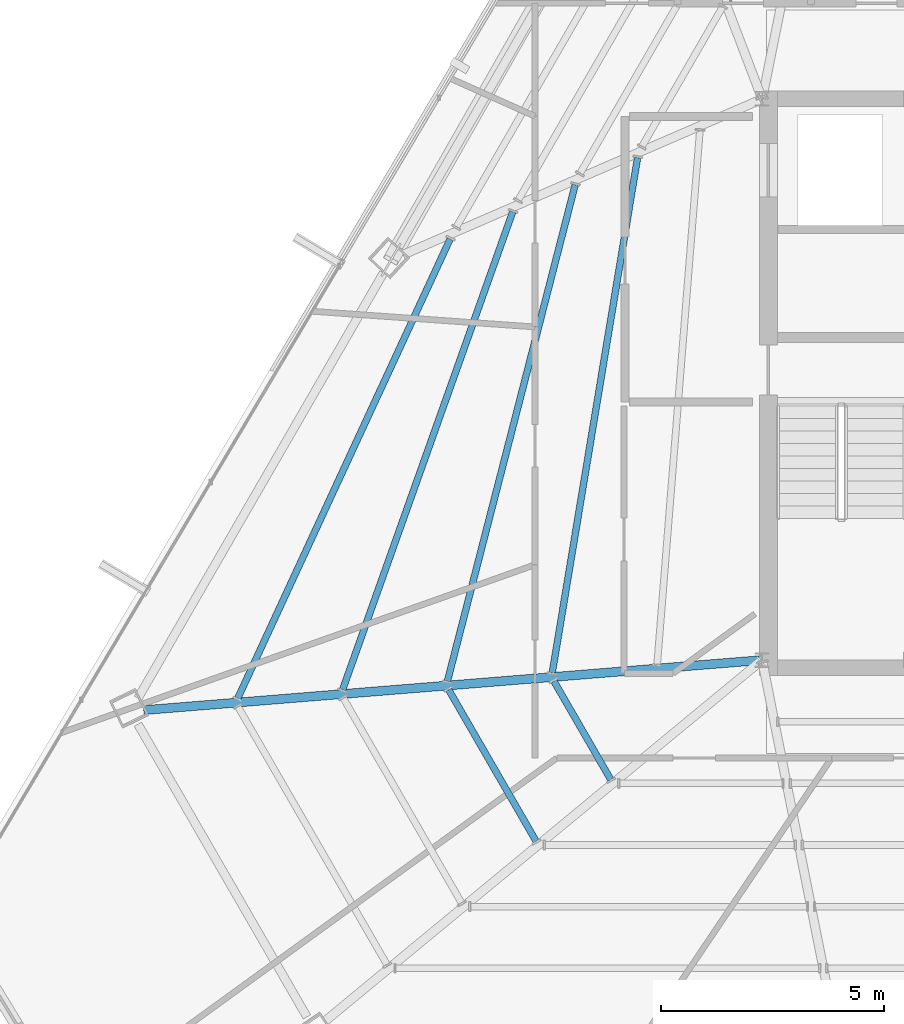
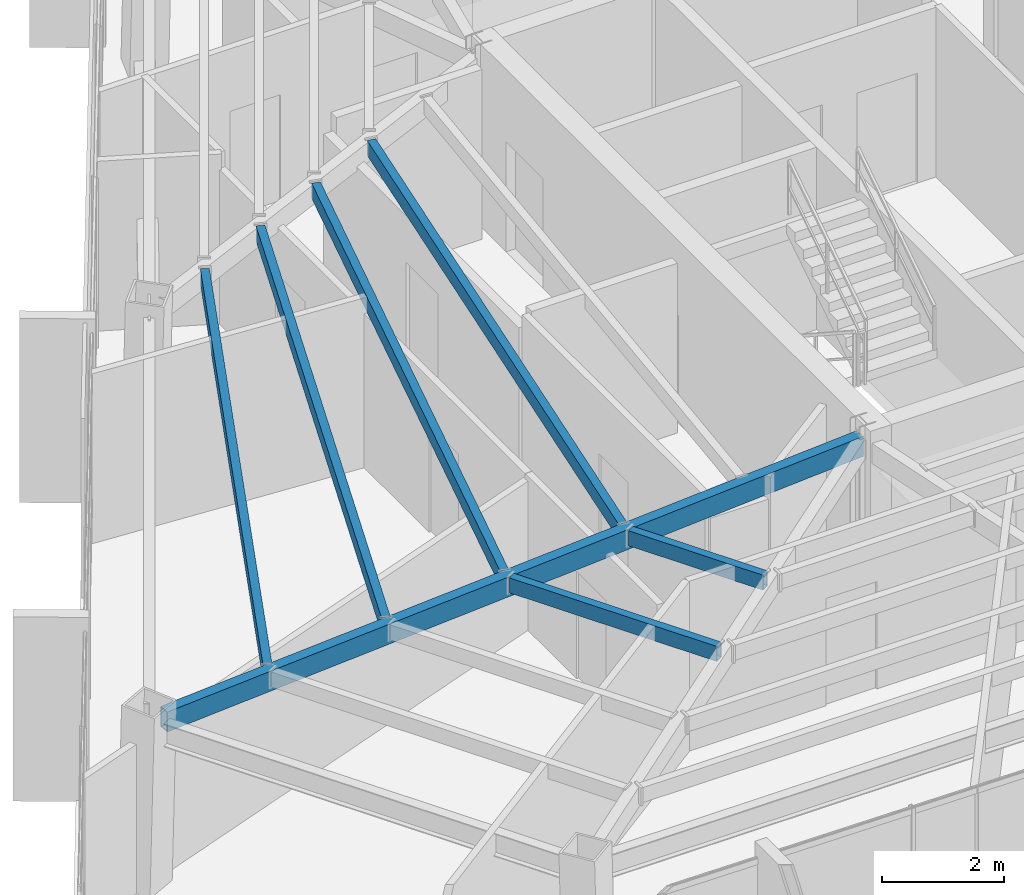
# One storey, part 10 of 45: 7 beams.
"""IFC4 building model written with IfcOpenShell, lengths in metres."""

from ifc_helpers import new_model, si_unit, direction, frame, origin, origin_2d, place, context, subcontext, project, spatial, hollow_rectangle, extrude, source, transform, mapped, material, material_profile, profile_set, type_object, type_shapes, element, save


model = new_model("IFC4")

# Units and contexts
model_context = context("Model", 3, precision=1e-05, world=origin(), true_north=direction((0.0, 1.0)))
body_context = subcontext(model_context, "Body", "Model", "MODEL_VIEW")
ifc_project = project(units=[si_unit("LENGTHUNIT", "METRE"), si_unit("AREAUNIT", "SQUARE_METRE"), si_unit("VOLUMEUNIT", "CUBIC_METRE"), si_unit("PLANEANGLEUNIT", "RADIAN"), si_unit("MASSUNIT", "GRAM", prefix="KILO")], contexts=[model_context])

# Site, building, storey
site_placement = place(None, origin())
site = spatial("IfcSite", under=ifc_project, at=site_placement, CompositionType="ELEMENT")
building_placement = place(site_placement, origin())
building = spatial("IfcBuilding", under=site, at=building_placement, Name="Caelisora Broadcast Tower", CompositionType="ELEMENT")
storey_placement = place(building_placement, frame((0.0, 0.0, 240.800048828125)))
storey = spatial("IfcBuildingStorey", under=building, at=storey_placement, Name="L63", CompositionType="ELEMENT", Elevation=240.800048828125)

# Beams
ifc_material = material(Name="Steel Grade 350 (AS/NZS 1163 C350L0)", Category="steel")
ifc_material_profile_1 = material_profile(ifc_material, hollow_rectangle(XDim=0.199951171875, YDim=0.39990234375, WallThickness=0.012451171875, at=origin_2d()), Name="Steel Grade 350 (AS/NZS 1163 C350L0)")
ifc_profile_set_1 = profile_set([ifc_material_profile_1], Name="Steel Grade 350 (AS/NZS 1163 C350L0)")
beam_type_1 = type_object("IfcBeamType", Name="PG07", PredefinedType="BEAM", material=ifc_profile_set_1)
shared_shape_1 = source(origin(), body_context, "Body", "SweptSolid", [
    extrude(hollow_rectangle(XDim=0.199951171875, YDim=0.39990234375, WallThickness=0.012451171875, at=origin_2d()), origin(), (0.0, 0.0, 1.0), 13.873046875),
])
type_shapes(beam_type_1, [shared_shape_1])
beam_1_placement = place(storey_placement, frame((30.440185546875, 17.395263671875, 3.199951171875), z_axis=(-0.996735098741, -0.080741209665, 0.0), x_axis=(0.080741209665, -0.996735098741, 0.0)))
element("IfcBeam", 1, at=beam_1_placement, inside=storey, type_object=beam_type_1, Name="L63 beam PG07", PredefinedType="BEAM", context=body_context, shape_type="MappedRepresentation", body=[
    mapped(shared_shape_1, transform((0.0, 0.0, 0.0), scale=1.0)),
])
ifc_material_profile_2 = material_profile(ifc_material, hollow_rectangle(XDim=0.14990234375, YDim=0.300048828125, WallThickness=0.010009765625, at=origin_2d()), Name="Steel Grade 350 (AS/NZS 1163 C350L0)")
ifc_profile_set_2 = profile_set([ifc_material_profile_2], Name="Steel Grade 350 (AS/NZS 1163 C350L0)")
beam_type_2 = type_object("IfcBeamType", Name="SB05", PredefinedType="JOIST", material=ifc_profile_set_2)
shared_shape_2 = source(origin(), body_context, "Body", "SweptSolid", [
    extrude(hollow_rectangle(XDim=0.14990234375, YDim=0.300048828125, WallThickness=0.010009765625, at=origin_2d()), origin(), (0.0, 0.0, 1.0), 11.722412109375),
])
beam_2_placement = place(storey_placement, frame((27.703125, 28.6806640625, 3.25), z_axis=(-0.16336543737, -0.98656562573, 0.0), x_axis=(0.98656562573, -0.16336543737, 0.0)))
element("IfcBeam", 2, at=beam_2_placement, inside=storey, type_object=beam_type_2, Name="L63 beam SB05", PredefinedType="JOIST", context=body_context, shape_type="MappedRepresentation", body=[
    mapped(shared_shape_2, transform((0.0, 0.0, 0.0), scale=1.0)),
])
shared_shape_3 = source(origin(), body_context, "Body", "SweptSolid", [
    extrude(hollow_rectangle(XDim=0.14990234375, YDim=0.300048828125, WallThickness=0.010009765625, at=origin_2d()), origin(), (0.0, 0.0, 1.0), 11.51123046875),
])
beam_3_placement = place(storey_placement, frame((26.302490234375, 28.072998046875, 3.25), z_axis=(-0.249246789584, -0.968440002211, 0.0), x_axis=(0.968440002211, -0.249246789584, 0.0)))
element("IfcBeam", 3, at=beam_3_placement, inside=storey, type_object=beam_type_2, Name="L63 beam SB05", PredefinedType="JOIST", context=body_context, shape_type="MappedRepresentation", body=[
    mapped(shared_shape_3, transform((0.0, 0.0, 0.0), scale=1.0)),
])
shared_shape_4 = source(origin(), body_context, "Body", "SweptSolid", [
    extrude(hollow_rectangle(XDim=0.14990234375, YDim=0.300048828125, WallThickness=0.010009765625, at=origin_2d()), origin(), (0.0, 0.0, 1.0), 11.38916015625),
])
beam_4_placement = place(storey_placement, frame((24.8994140625, 27.464111328125, 3.25), z_axis=(-0.335391094019, -0.942078985039, 0.0), x_axis=(0.942078985039, -0.335391094019, 0.0)))
element("IfcBeam", 4, at=beam_4_placement, inside=storey, type_object=beam_type_2, Name="L63 beam SB05", PredefinedType="JOIST", context=body_context, shape_type="MappedRepresentation", body=[
    mapped(shared_shape_4, transform((0.0, 0.0, 0.0), scale=1.0)),
])
shared_shape_5 = source(origin(), body_context, "Body", "SweptSolid", [
    extrude(hollow_rectangle(XDim=0.14990234375, YDim=0.300048828125, WallThickness=0.010009765625, at=origin_2d()), origin(), (0.0, 0.0, 1.0), 11.358642578125),
])
beam_5_placement = place(storey_placement, frame((23.49365234375, 26.85400390625, 3.25), z_axis=(-0.419690521651, -0.907667266148, 0.0), x_axis=(0.907667266148, -0.419690521651, 0.0)))
element("IfcBeam", 5, at=beam_5_placement, inside=storey, type_object=beam_type_2, Name="L63 beam SB05", PredefinedType="JOIST", context=body_context, shape_type="MappedRepresentation", body=[
    mapped(shared_shape_5, transform((0.0, 0.0, 0.0), scale=1.0)),
])
shared_shape_6 = source(origin(), body_context, "Body", "SweptSolid", [
    extrude(hollow_rectangle(XDim=0.14990234375, YDim=0.300048828125, WallThickness=0.010009765625, at=origin_2d()), origin(), (0.0, 0.0, 1.0), 2.54833984375),
])
beam_6_placement = place(storey_placement, frame((25.82568359375, 16.923828125, 3.25), z_axis=(0.500023778256, -0.866011674967, 0.0), x_axis=(0.866011674967, 0.500023778256, 0.0)))
element("IfcBeam", 6, at=beam_6_placement, inside=storey, type_object=beam_type_2, Name="L63 beam SB05", PredefinedType="JOIST", context=body_context, shape_type="MappedRepresentation", body=[
    mapped(shared_shape_6, transform((0.0, 0.0, 0.0), scale=1.0)),
])
shared_shape_7 = source(origin(), body_context, "Body", "SweptSolid", [
    extrude(hollow_rectangle(XDim=0.14990234375, YDim=0.300048828125, WallThickness=0.010009765625, at=origin_2d()), origin(), (0.0, 0.0, 1.0), 3.925537109375),
])
type_shapes(beam_type_2, [shared_shape_2, shared_shape_3, shared_shape_4, shared_shape_5, shared_shape_6, shared_shape_7])
beam_7_placement = place(storey_placement, frame((23.461669921875, 16.732421875, 3.25), z_axis=(0.499971896213, -0.866041628905, 0.0), x_axis=(0.866041628905, 0.499971896213, 0.0)))
element("IfcBeam", 7, at=beam_7_placement, inside=storey, type_object=beam_type_2, Name="L63 beam SB05", PredefinedType="JOIST", context=body_context, shape_type="MappedRepresentation", body=[
    mapped(shared_shape_7, transform((0.0, 0.0, 0.0), scale=1.0)),
])

save(model, "model.ifc")
